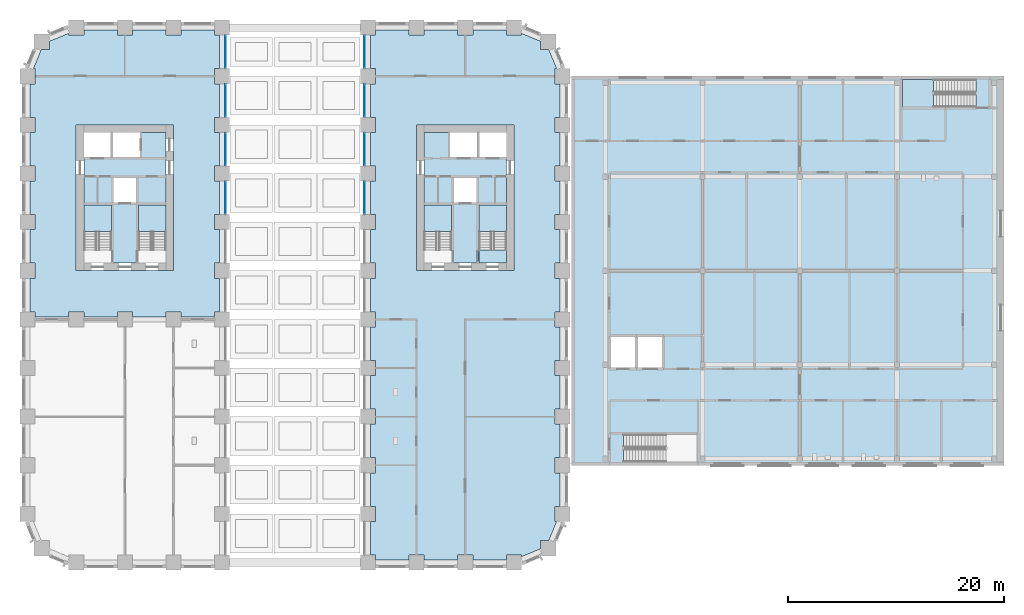
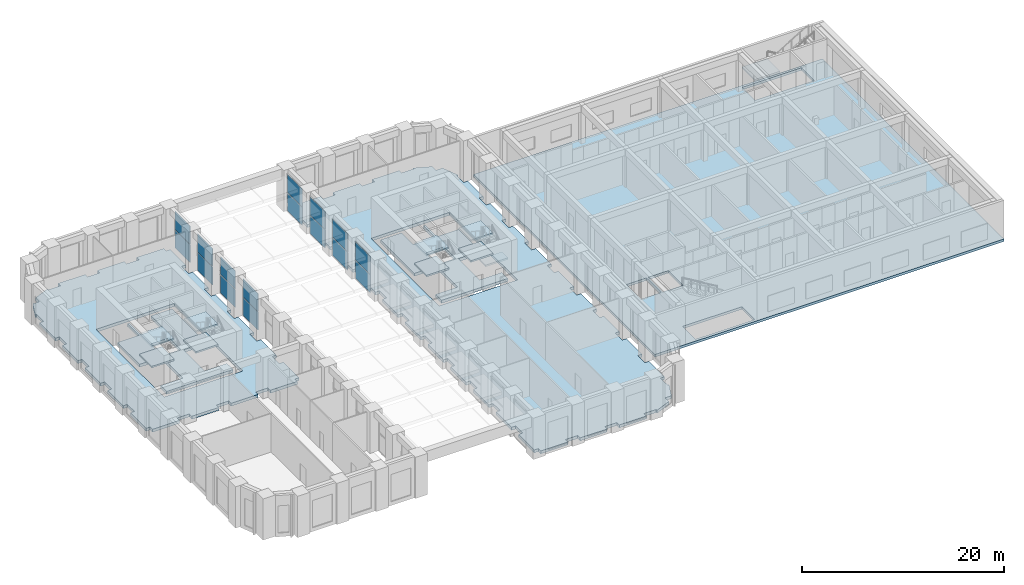
# One storey, part 7 of 24: 16 plates, 15 slabs, 13 elements without a shape of their own.
"""IFC4 building model written with IfcOpenShell, lengths in metres."""

from ifc_helpers import new_model, si_unit, direction, frame, origin, origin_2d, place, context, subcontext, project, spatial, polyline, rectangle, outline, extrude, material, layer, layer_set, type_object, element, aggregate, save


model = new_model("IFC4")

# Units and contexts
model_context = context("Model", 3, precision=1e-05, world=origin(), true_north=direction((0.0, 1.0)))
body_context = subcontext(model_context, "Body", "Model", "MODEL_VIEW")
ifc_project = project(units=[si_unit("LENGTHUNIT", "METRE"), si_unit("AREAUNIT", "SQUARE_METRE"), si_unit("VOLUMEUNIT", "CUBIC_METRE"), si_unit("PLANEANGLEUNIT", "RADIAN"), si_unit("MASSUNIT", "GRAM", prefix="KILO")], contexts=[model_context])

# Site, building, storey
site_placement = place(None, origin())
site = spatial("IfcSite", under=ifc_project, at=site_placement, CompositionType="ELEMENT")
building_placement = place(site_placement, origin())
building = spatial("IfcBuilding", under=site, at=building_placement, Name="Girih Gate Residences", CompositionType="ELEMENT")
storey_placement = place(building_placement, frame((0.0, 0.0, 16.0)))
storey = spatial("IfcBuildingStorey", under=building, at=storey_placement, Name="L03", CompositionType="ELEMENT", Elevation=16.0)

# Slabs
ifc_material_1 = material(Name="Concrete C40/50", Category="concrete")
ifc_layer_1 = layer(ifc_material_1, 0.35009765625)
ifc_layer_set_1 = layer_set([ifc_layer_1], Name="Core floor slab 350")
slab_type_1 = type_object("IfcSlabType", Name="Core floor slab 350", PredefinedType="FLOOR", material=ifc_layer_set_1)
slab_1_placement = place(storey_placement, frame((0.0, 0.0, -0.35009765625)))
element("IfcSlab", 1, at=slab_1_placement, inside=storey, type_object=slab_type_1, Name="L03 W core floor", PredefinedType="FLOOR", context=body_context, shape_type="SweptSolid", body=[
    extrude(outline(polyline([(12.800048828125, 27.699951171875), (5.199951171875, 27.699951171875), (5.199951171875, 28.900634765625), (7.75, 28.900634765625), (7.75, 33.10009765625), (5.199951171875, 33.10009765625), (5.199951171875, 37.5), (7.699951171875, 37.5), (7.699951171875, 39.800048828125), (7.89990234375, 39.800048828125), (7.89990234375, 37.5), (10.39990234375, 37.5), (10.39990234375, 39.800048828125), (12.800048828125, 39.800048828125), (12.800048828125, 33.10009765625), (10.25, 33.10009765625), (10.25, 28.900634765625), (12.800048828125, 28.900634765625), (12.800048828125, 27.699951171875)]), holes=[polyline([(7.949951171875, 33.300048828125), (10.050048828125, 33.300048828125), (10.050048828125, 35.60009765625), (7.949951171875, 35.60009765625), (7.949951171875, 33.300048828125)])]), origin(), (0.0, 0.0, 1.0), 0.35009765625),
])
slab_2_placement = place(storey_placement, frame((0.0, 0.0, -0.35009765625)))
element("IfcSlab", 2, at=slab_2_placement, inside=storey, type_object=slab_type_1, Name="L03 E core floor", PredefinedType="FLOOR", context=body_context, shape_type="SweptSolid", body=[
    extrude(outline(polyline([(44.300048828125, 27.699951171875), (36.699951171875, 27.699951171875), (36.699951171875, 28.900634765625), (39.25, 28.900634765625), (39.25, 33.10009765625), (36.699951171875, 33.10009765625), (36.699951171875, 39.800048828125), (39.10009765625, 39.800048828125), (39.10009765625, 37.5), (41.60009765625, 37.5), (41.60009765625, 39.800048828125), (41.800048828125, 39.800048828125), (41.800048828125, 37.5), (44.300048828125, 37.5), (44.300048828125, 33.10009765625), (41.75, 33.10009765625), (41.75, 28.900634765625), (44.300048828125, 28.900634765625), (44.300048828125, 27.699951171875)]), holes=[polyline([(39.449951171875, 33.300048828125), (41.550048828125, 33.300048828125), (41.550048828125, 35.60009765625), (39.449951171875, 35.60009765625), (39.449951171875, 33.300048828125)])]), origin(), (0.0, 0.0, 1.0), 0.35009765625),
])

# Curtain wall, plates
ifc_material_2 = material(Name="Aluminium curtain wall frame", Category="aluminium")
curtain_wall_type = type_object("IfcCurtainWallType", Name="Curtain wall CW-2 podium amenity glazing", PredefinedType="NOTDEFINED", material=ifc_material_2)
curtain_wall_1_placement = place(storey_placement, origin())
curtain_wall_1 = element("IfcCurtainWall", 3, at=curtain_wall_1_placement, inside=storey, type_object=curtain_wall_type, Name="CW-2 Podium amenity glazing E0180_0000.7", PredefinedType="NOTDEFINED")
ifc_material_3 = material(Name="Double glazed unit")
ifc_layer_2 = layer(ifc_material_3, 0.028076171875)
ifc_layer_set_2 = layer_set([ifc_layer_2], Name="Curtain wall glass panel 28")
plate_type = type_object("IfcPlateType", Name="Curtain wall glass panel 28", PredefinedType="CURTAIN_PANEL", material=ifc_layer_set_2)
plate_1_placement = place(storey_placement, frame((18.31494140625, 33.75, 0.06005859375), z_axis=(0.0, 0.0, 1.0), x_axis=(0.0, 1.0, 0.0)))
plate_1 = element("IfcPlate", 4, at=plate_1_placement, type_object=plate_type, Name="CW-2 panel 1.1", PredefinedType="CURTAIN_PANEL", context=body_context, shape_type="SweptSolid", body=[
    extrude(rectangle(XDim=2.97998046875, YDim=0.028076171875, at=origin_2d()), origin(), (0.0, 0.0, 1.0), 2.18505859375),
])
plate_2_placement = place(storey_placement, frame((18.31494140625, 33.75, 2.304931640625), z_axis=(0.0, 0.0, 1.0), x_axis=(0.0, 1.0, 0.0)))
plate_2 = element("IfcPlate", 5, at=plate_2_placement, type_object=plate_type, Name="CW-2 panel 1.2", PredefinedType="CURTAIN_PANEL", context=body_context, shape_type="SweptSolid", body=[
    extrude(rectangle(XDim=2.97998046875, YDim=0.028076171875, at=origin_2d()), origin(), (0.0, 0.0, 1.0), 2.18505859375),
])
aggregate(curtain_wall_1, [plate_1, plate_2])

curtain_wall_2_placement = place(storey_placement, origin())
curtain_wall_2 = element("IfcCurtainWall", 6, at=curtain_wall_2_placement, inside=storey, type_object=curtain_wall_type, Name="CW-2 Podium amenity glazing E0180_0000.8", PredefinedType="NOTDEFINED")
plate_3_placement = place(storey_placement, frame((18.31494140625, 38.25, 0.06005859375), z_axis=(0.0, 0.0, 1.0), x_axis=(0.0, 1.0, 0.0)))
plate_3 = element("IfcPlate", 7, at=plate_3_placement, type_object=plate_type, Name="CW-2 panel 1.1", PredefinedType="CURTAIN_PANEL", context=body_context, shape_type="SweptSolid", body=[
    extrude(rectangle(XDim=2.97998046875, YDim=0.028076171875, at=origin_2d()), origin(), (0.0, 0.0, 1.0), 2.18505859375),
])
plate_4_placement = place(storey_placement, frame((18.31494140625, 38.25, 2.304931640625), z_axis=(0.0, 0.0, 1.0), x_axis=(0.0, 1.0, 0.0)))
plate_4 = element("IfcPlate", 8, at=plate_4_placement, type_object=plate_type, Name="CW-2 panel 1.2", PredefinedType="CURTAIN_PANEL", context=body_context, shape_type="SweptSolid", body=[
    extrude(rectangle(XDim=2.97998046875, YDim=0.028076171875, at=origin_2d()), origin(), (0.0, 0.0, 1.0), 2.18505859375),
])
aggregate(curtain_wall_2, [plate_3, plate_4])

curtain_wall_3_placement = place(storey_placement, origin())
curtain_wall_3 = element("IfcCurtainWall", 9, at=curtain_wall_3_placement, inside=storey, type_object=curtain_wall_type, Name="CW-2 Podium amenity glazing E0180_0000.9", PredefinedType="NOTDEFINED")
plate_5_placement = place(storey_placement, frame((18.31494140625, 42.75, 0.06005859375), z_axis=(0.0, 0.0, 1.0), x_axis=(0.0, 1.0, 0.0)))
plate_5 = element("IfcPlate", 10, at=plate_5_placement, type_object=plate_type, Name="CW-2 panel 1.1", PredefinedType="CURTAIN_PANEL", context=body_context, shape_type="SweptSolid", body=[
    extrude(rectangle(XDim=2.97998046875, YDim=0.028076171875, at=origin_2d()), origin(), (0.0, 0.0, 1.0), 2.18505859375),
])
plate_6_placement = place(storey_placement, frame((18.31494140625, 42.75, 2.304931640625), z_axis=(0.0, 0.0, 1.0), x_axis=(0.0, 1.0, 0.0)))
plate_6 = element("IfcPlate", 11, at=plate_6_placement, type_object=plate_type, Name="CW-2 panel 1.2", PredefinedType="CURTAIN_PANEL", context=body_context, shape_type="SweptSolid", body=[
    extrude(rectangle(XDim=2.97998046875, YDim=0.028076171875, at=origin_2d()), origin(), (0.0, 0.0, 1.0), 2.18505859375),
])
aggregate(curtain_wall_3, [plate_5, plate_6])

curtain_wall_4_placement = place(storey_placement, origin())
curtain_wall_4 = element("IfcCurtainWall", 12, at=curtain_wall_4_placement, inside=storey, type_object=curtain_wall_type, Name="CW-2 Podium amenity glazing E0180_0000.10", PredefinedType="NOTDEFINED")
plate_7_placement = place(storey_placement, frame((18.31494140625, 47.25, 0.06005859375), z_axis=(0.0, 0.0, 1.0), x_axis=(0.0, 1.0, 0.0)))
plate_7 = element("IfcPlate", 13, at=plate_7_placement, type_object=plate_type, Name="CW-2 panel 1.1", PredefinedType="CURTAIN_PANEL", context=body_context, shape_type="SweptSolid", body=[
    extrude(rectangle(XDim=2.97998046875, YDim=0.028076171875, at=origin_2d()), origin(), (0.0, 0.0, 1.0), 2.18505859375),
])
plate_8_placement = place(storey_placement, frame((18.31494140625, 47.25, 2.304931640625), z_axis=(0.0, 0.0, 1.0), x_axis=(0.0, 1.0, 0.0)))
plate_8 = element("IfcPlate", 14, at=plate_8_placement, type_object=plate_type, Name="CW-2 panel 1.2", PredefinedType="CURTAIN_PANEL", context=body_context, shape_type="SweptSolid", body=[
    extrude(rectangle(XDim=2.97998046875, YDim=0.028076171875, at=origin_2d()), origin(), (0.0, 0.0, 1.0), 2.18505859375),
])
aggregate(curtain_wall_4, [plate_7, plate_8])

curtain_wall_5_placement = place(storey_placement, origin())
curtain_wall_5 = element("IfcCurtainWall", 15, at=curtain_wall_5_placement, inside=storey, type_object=curtain_wall_type, Name="CW-2 Podium amenity glazing W0315_0495.0", PredefinedType="NOTDEFINED")
plate_9_placement = place(storey_placement, frame((31.18505859375, 47.25, 0.06005859375), z_axis=(0.0, 0.0, 1.0), x_axis=(0.0, -1.0, 0.0)))
plate_9 = element("IfcPlate", 16, at=plate_9_placement, type_object=plate_type, Name="CW-2 panel 1.1", PredefinedType="CURTAIN_PANEL", context=body_context, shape_type="SweptSolid", body=[
    extrude(rectangle(XDim=2.97998046875, YDim=0.028076171875, at=origin_2d()), origin(), (0.0, 0.0, 1.0), 2.18505859375),
])
plate_10_placement = place(storey_placement, frame((31.18505859375, 47.25, 2.304931640625), z_axis=(0.0, 0.0, 1.0), x_axis=(0.0, -1.0, 0.0)))
plate_10 = element("IfcPlate", 17, at=plate_10_placement, type_object=plate_type, Name="CW-2 panel 1.2", PredefinedType="CURTAIN_PANEL", context=body_context, shape_type="SweptSolid", body=[
    extrude(rectangle(XDim=2.97998046875, YDim=0.028076171875, at=origin_2d()), origin(), (0.0, 0.0, 1.0), 2.18505859375),
])
aggregate(curtain_wall_5, [plate_9, plate_10])

curtain_wall_6_placement = place(storey_placement, origin())
curtain_wall_6 = element("IfcCurtainWall", 18, at=curtain_wall_6_placement, inside=storey, type_object=curtain_wall_type, Name="CW-2 Podium amenity glazing W0315_0495.1", PredefinedType="NOTDEFINED")
plate_11_placement = place(storey_placement, frame((31.18505859375, 42.75, 0.06005859375), z_axis=(0.0, 0.0, 1.0), x_axis=(0.0, -1.0, 0.0)))
plate_11 = element("IfcPlate", 19, at=plate_11_placement, type_object=plate_type, Name="CW-2 panel 1.1", PredefinedType="CURTAIN_PANEL", context=body_context, shape_type="SweptSolid", body=[
    extrude(rectangle(XDim=2.97998046875, YDim=0.028076171875, at=origin_2d()), origin(), (0.0, 0.0, 1.0), 2.18505859375),
])
plate_12_placement = place(storey_placement, frame((31.18505859375, 42.75, 2.304931640625), z_axis=(0.0, 0.0, 1.0), x_axis=(0.0, -1.0, 0.0)))
plate_12 = element("IfcPlate", 20, at=plate_12_placement, type_object=plate_type, Name="CW-2 panel 1.2", PredefinedType="CURTAIN_PANEL", context=body_context, shape_type="SweptSolid", body=[
    extrude(rectangle(XDim=2.97998046875, YDim=0.028076171875, at=origin_2d()), origin(), (0.0, 0.0, 1.0), 2.18505859375),
])
aggregate(curtain_wall_6, [plate_11, plate_12])

curtain_wall_7_placement = place(storey_placement, origin())
curtain_wall_7 = element("IfcCurtainWall", 21, at=curtain_wall_7_placement, inside=storey, type_object=curtain_wall_type, Name="CW-2 Podium amenity glazing W0315_0495.2", PredefinedType="NOTDEFINED")
plate_13_placement = place(storey_placement, frame((31.18505859375, 38.25, 0.06005859375), z_axis=(0.0, 0.0, 1.0), x_axis=(0.0, -1.0, 0.0)))
plate_13 = element("IfcPlate", 22, at=plate_13_placement, type_object=plate_type, Name="CW-2 panel 1.1", PredefinedType="CURTAIN_PANEL", context=body_context, shape_type="SweptSolid", body=[
    extrude(rectangle(XDim=2.97998046875, YDim=0.028076171875, at=origin_2d()), origin(), (0.0, 0.0, 1.0), 2.18505859375),
])
plate_14_placement = place(storey_placement, frame((31.18505859375, 38.25, 2.304931640625), z_axis=(0.0, 0.0, 1.0), x_axis=(0.0, -1.0, 0.0)))
plate_14 = element("IfcPlate", 23, at=plate_14_placement, type_object=plate_type, Name="CW-2 panel 1.2", PredefinedType="CURTAIN_PANEL", context=body_context, shape_type="SweptSolid", body=[
    extrude(rectangle(XDim=2.97998046875, YDim=0.028076171875, at=origin_2d()), origin(), (0.0, 0.0, 1.0), 2.18505859375),
])
aggregate(curtain_wall_7, [plate_13, plate_14])

curtain_wall_8_placement = place(storey_placement, origin())
curtain_wall_8 = element("IfcCurtainWall", 24, at=curtain_wall_8_placement, inside=storey, type_object=curtain_wall_type, Name="CW-2 Podium amenity glazing W0315_0495.3", PredefinedType="NOTDEFINED")
plate_15_placement = place(storey_placement, frame((31.18505859375, 33.75, 0.06005859375), z_axis=(0.0, 0.0, 1.0), x_axis=(0.0, -1.0, 0.0)))
plate_15 = element("IfcPlate", 25, at=plate_15_placement, type_object=plate_type, Name="CW-2 panel 1.1", PredefinedType="CURTAIN_PANEL", context=body_context, shape_type="SweptSolid", body=[
    extrude(rectangle(XDim=2.97998046875, YDim=0.028076171875, at=origin_2d()), origin(), (0.0, 0.0, 1.0), 2.18505859375),
])
plate_16_placement = place(storey_placement, frame((31.18505859375, 33.75, 2.304931640625), z_axis=(0.0, 0.0, 1.0), x_axis=(0.0, -1.0, 0.0)))
plate_16 = element("IfcPlate", 26, at=plate_16_placement, type_object=plate_type, Name="CW-2 panel 1.2", PredefinedType="CURTAIN_PANEL", context=body_context, shape_type="SweptSolid", body=[
    extrude(rectangle(XDim=2.97998046875, YDim=0.028076171875, at=origin_2d()), origin(), (0.0, 0.0, 1.0), 2.18505859375),
])
aggregate(curtain_wall_8, [plate_15, plate_16])

# Slabs
ifc_layer_3 = layer(ifc_material_1, 0.35009765625)
ifc_layer_set_3 = layer_set([ifc_layer_3], Name="Floor slab PT 350 Concrete C40/50")
slab_type_2 = type_object("IfcSlabType", Name="Floor slab PT 350 Concrete C40/50", PredefinedType="FLOOR", material=ifc_layer_set_3)
slab_3_placement = place(storey_placement, frame((0.0, 0.0, -0.35009765625)))
element("IfcSlab", 27, at=slab_3_placement, inside=storey, type_object=slab_type_2, Name="Floor slab L03 1", PredefinedType="FLOOR", context=body_context, shape_type="SweptSolid", body=[
    extrude(outline(polyline([(35.300048828125, 49.27490234375), (32.199951171875, 49.27490234375), (32.199951171875, 48.800048828125), (31.72509765625, 48.800048828125), (31.72509765625, 45.699951171875), (32.199951171875, 45.699951171875), (32.199951171875, 44.300048828125), (31.72509765625, 44.300048828125), (31.72509765625, 41.199951171875), (32.199951171875, 41.199951171875), (32.199951171875, 39.800048828125), (31.72509765625, 39.800048828125), (31.72509765625, 36.699951171875), (32.199951171875, 36.699951171875), (32.199951171875, 35.300048828125), (31.72509765625, 35.300048828125), (31.72509765625, 32.199951171875), (32.199951171875, 32.199951171875), (32.199951171875, 30.800048828125), (31.72509765625, 30.800048828125), (31.72509765625, 27.699951171875), (32.199951171875, 27.699951171875), (32.199951171875, 26.300048828125), (31.72509765625, 26.300048828125), (31.72509765625, 23.199951171875), (32.199951171875, 23.199951171875), (32.199951171875, 21.800048828125), (31.72509765625, 21.800048828125), (31.72509765625, 18.699951171875), (32.199951171875, 18.699951171875), (32.199951171875, 17.300048828125), (31.72509765625, 17.300048828125), (31.72509765625, 14.199951171875), (32.199951171875, 14.199951171875), (32.199951171875, 12.800048828125), (31.72509765625, 12.800048828125), (31.72509765625, 9.699951171875), (32.199951171875, 9.699951171875), (32.199951171875, 8.300048828125), (31.72509765625, 8.300048828125), (31.72509765625, 5.199951171875), (32.199951171875, 5.199951171875), (32.199951171875, 3.800048828125), (31.72509765625, 3.800048828125), (31.72509765625, 0.699951171875), (32.199951171875, 0.699951171875), (32.199951171875, 0.22509765625), (35.300048828125, 0.22509765625), (35.300048828125, 0.699951171875), (36.699951171875, 0.699951171875), (36.699951171875, 0.22509765625), (39.800048828125, 0.22509765625), (39.800048828125, 0.699951171875), (41.199951171875, 0.699951171875), (41.199951171875, 0.22509765625), (44.300048828125, 0.22509765625), (44.300048828125, 0.699951171875), (45.699951171875, 0.699951171875), (45.699951171875, 0.533447265625), (47.48193359375, 1.271728515625), (47.48193359375, 2.01806640625), (48.228271484375, 2.01806640625), (48.966552734375, 3.800048828125), (48.800048828125, 3.800048828125), (48.800048828125, 5.199951171875), (49.27490234375, 5.199951171875), (49.27490234375, 8.300048828125), (48.800048828125, 8.300048828125), (48.800048828125, 9.699951171875), (49.27490234375, 9.699951171875), (49.27490234375, 12.800048828125), (48.800048828125, 12.800048828125), (48.800048828125, 14.199951171875), (49.27490234375, 14.199951171875), (49.27490234375, 17.300048828125), (48.800048828125, 17.300048828125), (48.800048828125, 18.699951171875), (49.27490234375, 18.699951171875), (49.27490234375, 21.800048828125), (48.800048828125, 21.800048828125), (48.800048828125, 23.199951171875), (49.27490234375, 23.199951171875), (49.27490234375, 26.300048828125), (48.800048828125, 26.300048828125), (48.800048828125, 27.699951171875), (49.27490234375, 27.699951171875), (49.27490234375, 30.800048828125), (48.800048828125, 30.800048828125), (48.800048828125, 32.199951171875), (49.27490234375, 32.199951171875), (49.27490234375, 35.300048828125), (48.800048828125, 35.300048828125), (48.800048828125, 36.699951171875), (49.27490234375, 36.699951171875), (49.27490234375, 39.800048828125), (48.800048828125, 39.800048828125), (48.800048828125, 41.199951171875), (49.27490234375, 41.199951171875), (49.27490234375, 44.300048828125), (48.800048828125, 44.300048828125), (48.800048828125, 45.699951171875), (48.966552734375, 45.699951171875), (48.228271484375, 47.48193359375), (47.48193359375, 47.48193359375), (47.48193359375, 48.228271484375), (45.699951171875, 48.966552734375), (45.699951171875, 48.800048828125), (44.300048828125, 48.800048828125), (44.300048828125, 49.27490234375), (41.199951171875, 49.27490234375), (41.199951171875, 48.800048828125), (39.800048828125, 48.800048828125), (39.800048828125, 49.27490234375), (36.699951171875, 49.27490234375), (36.699951171875, 48.800048828125), (35.300048828125, 48.800048828125), (35.300048828125, 49.27490234375)]), holes=[polyline([(45.0, 40.5), (45.0, 27.0), (36.0, 27.0), (36.0, 40.5), (45.0, 40.5)])]), origin(), (0.0, 0.0, 1.0), 0.35009765625),
])
slab_4_placement = place(storey_placement, frame((0.0, 0.0, -0.35009765625)))
element("IfcSlab", 28, at=slab_4_placement, inside=storey, type_object=slab_type_2, Name="Floor slab L03 2", PredefinedType="FLOOR", context=body_context, shape_type="SweptSolid", body=[
    extrude(outline(polyline([(0.22509765625, 26.300048828125), (0.22509765625, 23.199951171875), (0.699951171875, 23.199951171875), (0.699951171875, 22.72509765625), (3.800048828125, 22.72509765625), (3.800048828125, 23.199951171875), (5.199951171875, 23.199951171875), (5.199951171875, 22.72509765625), (8.300048828125, 22.72509765625), (8.300048828125, 23.199951171875), (9.699951171875, 23.199951171875), (9.699951171875, 22.72509765625), (12.800048828125, 22.72509765625), (12.800048828125, 23.199951171875), (14.199951171875, 23.199951171875), (14.199951171875, 22.72509765625), (17.300048828125, 22.72509765625), (17.300048828125, 23.199951171875), (17.77490234375, 23.199951171875), (17.77490234375, 26.300048828125), (17.300048828125, 26.300048828125), (17.300048828125, 27.699951171875), (17.77490234375, 27.699951171875), (17.77490234375, 30.800048828125), (17.300048828125, 30.800048828125), (17.300048828125, 32.199951171875), (17.77490234375, 32.199951171875), (17.77490234375, 35.300048828125), (17.300048828125, 35.300048828125), (17.300048828125, 36.699951171875), (17.77490234375, 36.699951171875), (17.77490234375, 39.800048828125), (17.300048828125, 39.800048828125), (17.300048828125, 41.199951171875), (17.77490234375, 41.199951171875), (17.77490234375, 44.300048828125), (17.300048828125, 44.300048828125), (17.300048828125, 45.699951171875), (17.77490234375, 45.699951171875), (17.77490234375, 48.800048828125), (17.300048828125, 48.800048828125), (17.300048828125, 49.27490234375), (14.199951171875, 49.27490234375), (14.199951171875, 48.800048828125), (12.800048828125, 48.800048828125), (12.800048828125, 49.27490234375), (9.699951171875, 49.27490234375), (9.699951171875, 48.800048828125), (8.300048828125, 48.800048828125), (8.300048828125, 49.27490234375), (5.199951171875, 49.27490234375), (5.199951171875, 48.800048828125), (3.800048828125, 48.800048828125), (3.800048828125, 48.966552734375), (2.01806640625, 48.228271484375), (2.01806640625, 47.48193359375), (1.271728515625, 47.48193359375), (0.533447265625, 45.699951171875), (0.699951171875, 45.699951171875), (0.699951171875, 44.300048828125), (0.22509765625, 44.300048828125), (0.22509765625, 41.199951171875), (0.699951171875, 41.199951171875), (0.699951171875, 39.800048828125), (0.22509765625, 39.800048828125), (0.22509765625, 36.699951171875), (0.699951171875, 36.699951171875), (0.699951171875, 35.300048828125), (0.22509765625, 35.300048828125), (0.22509765625, 32.199951171875), (0.699951171875, 32.199951171875), (0.699951171875, 30.800048828125), (0.22509765625, 30.800048828125), (0.22509765625, 27.699951171875), (0.699951171875, 27.699951171875), (0.699951171875, 26.300048828125), (0.22509765625, 26.300048828125)]), holes=[polyline([(13.5, 40.5), (13.5, 27.0), (4.5, 27.0), (4.5, 40.5), (13.5, 40.5)])]), origin(), (0.0, 0.0, 1.0), 0.35009765625),
])
ifc_layer_4 = layer(ifc_material_1, 0.300048828125)
ifc_layer_set_4 = layer_set([ifc_layer_4], Name="HC Floor slab 300 C40/50")
slab_type_3 = type_object("IfcSlabType", Name="HC Floor slab 300 C40/50", PredefinedType="FLOOR", material=ifc_layer_set_4)
slab_5_placement = place(storey_placement, frame((0.0, 0.0, -0.300048828125)))
element("IfcSlab", 29, at=slab_5_placement, inside=storey, type_object=slab_type_3, Name="L03 floor slab", PredefinedType="FLOOR", context=body_context, shape_type="SweptSolid", body=[
    extrude(outline(polyline([(50.35009765625, 9.0), (90.35009765625, 9.0), (90.35009765625, 45.0), (50.35009765625, 45.0), (50.35009765625, 9.0)]), holes=[polyline([(55.150390625, 9.300048828125), (61.949951171875, 9.300048828125), (61.949951171875, 11.85009765625), (55.150390625, 11.85009765625), (55.150390625, 9.300048828125)]), polyline([(87.74951171875, 44.699951171875), (80.949951171875, 44.699951171875), (80.949951171875, 42.14990234375), (87.74951171875, 42.14990234375), (87.74951171875, 44.699951171875)]), polyline([(53.949951171875, 18.0), (56.25, 18.0), (56.25, 20.89990234375), (53.949951171875, 20.89990234375), (53.949951171875, 18.0)]), polyline([(56.449951171875, 18.0), (58.75, 18.0), (58.75, 20.89990234375), (56.449951171875, 20.89990234375), (56.449951171875, 18.0)])]), origin(), (0.0, 0.0, 1.0), 0.300048828125),
])

# Stair, slab
stair_type_1 = type_object("IfcStairType", Name="HC Stair", PredefinedType="HALF_TURN_STAIR", material=ifc_material_1)
stair_1_placement = place(storey_placement, origin())
stair_1 = element("IfcStair", 30, at=stair_1_placement, inside=storey, type_object=stair_type_1, Name="L03 stair B", PredefinedType="HALF_TURN_STAIR")
ifc_layer_5 = layer(ifc_material_1, 0.199951171875)
ifc_layer_set_5 = layer_set([ifc_layer_5], Name="HC Stair landing 200")
slab_type_4 = type_object("IfcSlabType", Name="HC Stair landing 200", PredefinedType="LANDING", material=ifc_layer_set_5)
slab_6_placement = place(storey_placement, frame((0.0, 0.0, 2.300048828125)))
slab_6 = element("IfcSlab", 31, at=slab_6_placement, type_object=slab_type_4, Name="HC-STB landing 1", PredefinedType="LANDING", context=body_context, shape_type="SweptSolid", body=[
    extrude(outline(polyline([(83.830078125, 44.699951171875), (80.949951171875, 44.699951171875), (80.949951171875, 42.14990234375), (83.830078125, 42.14990234375), (83.830078125, 44.699951171875)])), origin(), (0.0, 0.0, 1.0), 0.199951171875),
])
aggregate(stair_1, [slab_6])

# Stair, slabs
stair_type_2 = type_object("IfcStairType", Name="Exit stair", PredefinedType="HALF_TURN_STAIR", material=ifc_material_1)
stair_2_placement = place(storey_placement, origin())
stair_2 = element("IfcStair", 32, at=stair_2_placement, inside=storey, type_object=stair_type_2, Name="L03 Exit Stair ST-W1", PredefinedType="HALF_TURN_STAIR")
ifc_layer_6 = layer(ifc_material_1, 0.199951171875)
ifc_layer_set_6 = layer_set([ifc_layer_6], Name="Stair landing 200")
slab_type_5 = type_object("IfcSlabType", Name="Stair landing 200", PredefinedType="LANDING", material=ifc_layer_set_6)
slab_7_placement = place(storey_placement, frame((0.0, 0.0, 1.050048828125)))
slab_7 = element("IfcSlab", 33, at=slab_7_placement, type_object=slab_type_5, Name="ST-W1 landing 1", PredefinedType="LANDING", context=body_context, shape_type="SweptSolid", body=[
    extrude(outline(polyline([(7.75, 30.64990234375), (7.75, 33.10009765625), (5.199951171875, 33.10009765625), (5.199951171875, 30.64990234375), (7.75, 30.64990234375)])), origin(), (0.0, 0.0, 1.0), 0.199951171875),
])
slab_8_placement = place(storey_placement, frame((0.0, 0.0, 3.550048828125)))
slab_8 = element("IfcSlab", 34, at=slab_8_placement, type_object=slab_type_5, Name="ST-W1 landing 3", PredefinedType="LANDING", context=body_context, shape_type="SweptSolid", body=[
    extrude(outline(polyline([(7.75, 30.64990234375), (7.75, 33.10009765625), (5.199951171875, 33.10009765625), (5.199951171875, 30.64990234375), (7.75, 30.64990234375)])), origin(), (0.0, 0.0, 1.0), 0.199951171875),
])
aggregate(stair_2, [slab_7, slab_8])

stair_3_placement = place(storey_placement, origin())
stair_3 = element("IfcStair", 35, at=stair_3_placement, inside=storey, type_object=stair_type_2, Name="L03 Exit Stair ST-W2", PredefinedType="HALF_TURN_STAIR")
slab_9_placement = place(storey_placement, frame((0.0, 0.0, 1.050048828125)))
slab_9 = element("IfcSlab", 36, at=slab_9_placement, type_object=slab_type_5, Name="ST-W2 landing 1", PredefinedType="LANDING", context=body_context, shape_type="SweptSolid", body=[
    extrude(outline(polyline([(12.800048828125, 30.64990234375), (12.800048828125, 33.10009765625), (10.25, 33.10009765625), (10.25, 30.64990234375), (12.800048828125, 30.64990234375)])), origin(), (0.0, 0.0, 1.0), 0.199951171875),
])
slab_10_placement = place(storey_placement, frame((0.0, 0.0, 3.550048828125)))
slab_10 = element("IfcSlab", 37, at=slab_10_placement, type_object=slab_type_5, Name="ST-W2 landing 3", PredefinedType="LANDING", context=body_context, shape_type="SweptSolid", body=[
    extrude(outline(polyline([(12.800048828125, 30.64990234375), (12.800048828125, 33.10009765625), (10.25, 33.10009765625), (10.25, 30.64990234375), (12.800048828125, 30.64990234375)])), origin(), (0.0, 0.0, 1.0), 0.199951171875),
])
aggregate(stair_3, [slab_9, slab_10])

stair_4_placement = place(storey_placement, origin())
stair_4 = element("IfcStair", 38, at=stair_4_placement, inside=storey, type_object=stair_type_2, Name="L03 Exit Stair ST-E1", PredefinedType="HALF_TURN_STAIR")
slab_11_placement = place(storey_placement, frame((0.0, 0.0, 1.050048828125)))
slab_11 = element("IfcSlab", 39, at=slab_11_placement, type_object=slab_type_5, Name="ST-E1 landing 1", PredefinedType="LANDING", context=body_context, shape_type="SweptSolid", body=[
    extrude(outline(polyline([(44.300048828125, 30.64990234375), (44.300048828125, 33.10009765625), (41.75, 33.10009765625), (41.75, 30.64990234375), (44.300048828125, 30.64990234375)])), origin(), (0.0, 0.0, 1.0), 0.199951171875),
])
slab_12_placement = place(storey_placement, frame((0.0, 0.0, 2.300048828125)))
slab_12 = element("IfcSlab", 40, at=slab_12_placement, type_object=slab_type_5, Name="ST-E1 landing 2", PredefinedType="LANDING", context=body_context, shape_type="SweptSolid", body=[
    extrude(outline(polyline([(44.300048828125, 27.699951171875), (44.300048828125, 28.89990234375), (41.75, 28.89990234375), (41.75, 27.699951171875), (44.300048828125, 27.699951171875)])), origin(), (0.0, 0.0, 1.0), 0.199951171875),
])
slab_13_placement = place(storey_placement, frame((0.0, 0.0, 3.550048828125)))
slab_13 = element("IfcSlab", 41, at=slab_13_placement, type_object=slab_type_5, Name="ST-E1 landing 3", PredefinedType="LANDING", context=body_context, shape_type="SweptSolid", body=[
    extrude(outline(polyline([(44.300048828125, 30.64990234375), (44.300048828125, 33.10009765625), (41.75, 33.10009765625), (41.75, 30.64990234375), (44.300048828125, 30.64990234375)])), origin(), (0.0, 0.0, 1.0), 0.199951171875),
])
aggregate(stair_4, [slab_11, slab_12, slab_13])

stair_5_placement = place(storey_placement, origin())
stair_5 = element("IfcStair", 42, at=stair_5_placement, inside=storey, type_object=stair_type_2, Name="L03 Exit Stair ST-E2", PredefinedType="HALF_TURN_STAIR")
slab_14_placement = place(storey_placement, frame((0.0, 0.0, 1.050048828125)))
slab_14 = element("IfcSlab", 43, at=slab_14_placement, type_object=slab_type_5, Name="ST-E2 landing 1", PredefinedType="LANDING", context=body_context, shape_type="SweptSolid", body=[
    extrude(outline(polyline([(39.25, 30.64990234375), (39.25, 33.10009765625), (36.699951171875, 33.10009765625), (36.699951171875, 30.64990234375), (39.25, 30.64990234375)])), origin(), (0.0, 0.0, 1.0), 0.199951171875),
])
slab_15_placement = place(storey_placement, frame((0.0, 0.0, 3.550048828125)))
slab_15 = element("IfcSlab", 44, at=slab_15_placement, type_object=slab_type_5, Name="ST-E2 landing 3", PredefinedType="LANDING", context=body_context, shape_type="SweptSolid", body=[
    extrude(outline(polyline([(39.25, 30.64990234375), (39.25, 33.10009765625), (36.699951171875, 33.10009765625), (36.699951171875, 30.64990234375), (39.25, 30.64990234375)])), origin(), (0.0, 0.0, 1.0), 0.199951171875),
])
aggregate(stair_5, [slab_14, slab_15])

save(model, "model.ifc")
